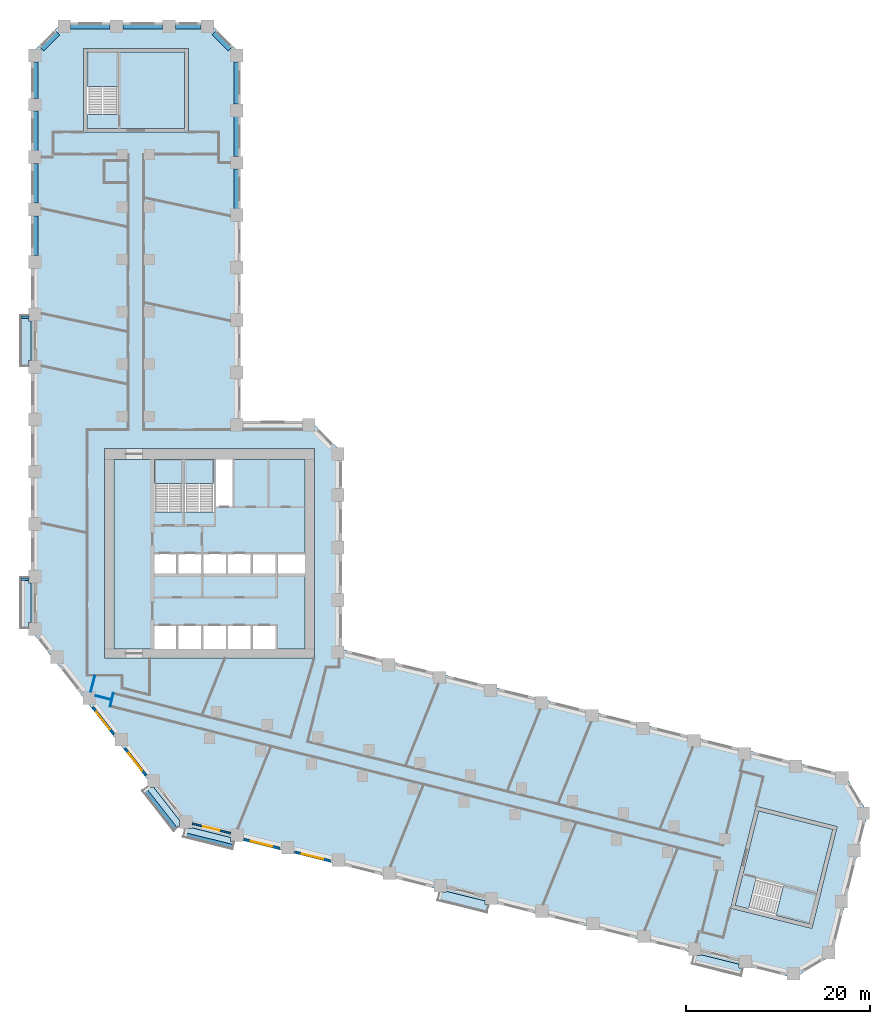
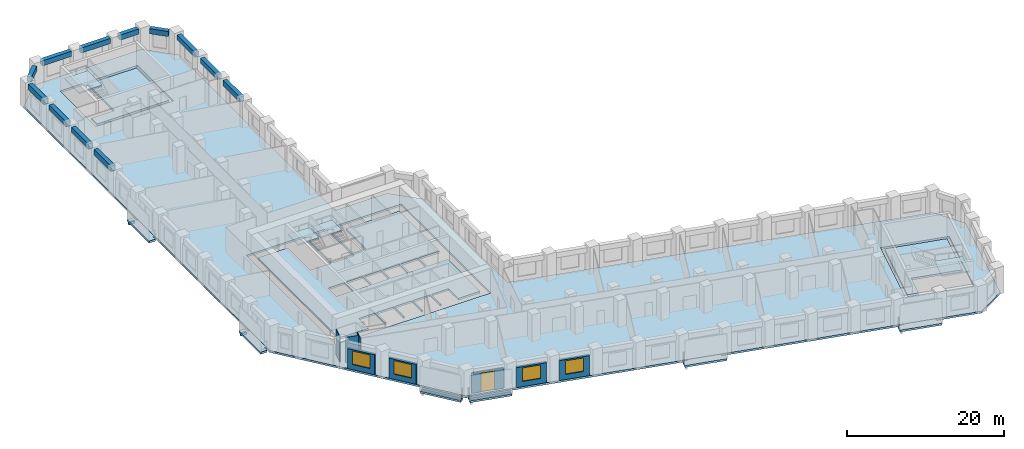
# One storey, part 2 of 11: 14 beams, 14 slabs, 10 walls, 4 windows, 1 door, 5 openings, 4 elements without a shape of their own.
"""IFC4 building model written with IfcOpenShell, lengths in metres."""

from ifc_helpers import new_model, si_unit, direction, frame, frame_2d, origin, origin_2d, place, context, subcontext, project, spatial, polyline, rectangle, outline, extrude, material, layer, layer_set, material_profile, profile_set, type_object, element, fill, aggregate, save


model = new_model("IFC4")

# Units and contexts
model_context = context("Model", 3, precision=1e-05, world=origin(), true_north=direction((0.0, 1.0)))
body_context = subcontext(model_context, "Body", "Model", "MODEL_VIEW")
ifc_project = project(units=[si_unit("LENGTHUNIT", "METRE"), si_unit("AREAUNIT", "SQUARE_METRE"), si_unit("VOLUMEUNIT", "CUBIC_METRE"), si_unit("PLANEANGLEUNIT", "RADIAN"), si_unit("MASSUNIT", "GRAM", prefix="KILO")], contexts=[model_context])

# Site, building, storey
site_placement = place(None, origin())
site = spatial("IfcSite", under=ifc_project, at=site_placement, CompositionType="ELEMENT")
building_placement = place(site_placement, origin())
building = spatial("IfcBuilding", under=site, at=building_placement, Name="Meshkara Civic Tower", CompositionType="ELEMENT")
storey_placement = place(building_placement, frame((0.0, 0.0, 41.39990234375)))
storey = spatial("IfcBuildingStorey", under=building, at=storey_placement, Name="L08", CompositionType="ELEMENT", Elevation=41.39990234375)

# Beams
ifc_material_1 = material(Name="Concrete C50", Category="concrete")
ifc_material_profile_1 = material_profile(ifc_material_1, rectangle(XDim=0.25, YDim=0.39990234375, at=origin_2d()))
ifc_profile_set_1 = profile_set([ifc_material_profile_1], Name="Concrete C50")
beam_type_1 = type_object("IfcBeamType", Name="Balcony bracket beam RC 250x400 C50", PredefinedType="BEAM", material=ifc_profile_set_1)
for number, where, z_axis, x_axis, name in (
    (1, (-0.2451171875, 51.155029296875, -0.5), (-1.0, 0.0, 0.0), (0.0, -1.0, 0.0), "Balcony bracket beam"),
    (2, (-0.2451171875, 22.655029296875, -0.5), (-1.0, 0.0, 0.0), (0.0, -1.0, 0.0), "Balcony bracket beam"),
):
    element("IfcBeam", number, at=place(storey_placement, frame(where, z_axis=z_axis, x_axis=x_axis)), inside=storey, type_object=beam_type_1, Name=name, PredefinedType="BEAM", context=body_context, shape_type="SweptSolid", body=[
        extrude(rectangle(XDim=0.25, YDim=0.39990234375, at=origin_2d()), origin(), (0.0, 0.0, 1.0), 0.85498046875),
    ])
ifc_material_2 = material(Name="Concrete C70", Category="concrete")
ifc_material_profile_2 = material_profile(ifc_material_2, rectangle(XDim=0.60009765625, YDim=0.800048828125, at=origin_2d()))
ifc_profile_set_2 = profile_set([ifc_material_profile_2], Name="Concrete C70")
beam_type_2 = type_object("IfcBeamType", Name="Spandrel beam RC 600x800 C70", PredefinedType="BEAM", material=ifc_profile_set_2)
beam_1_placement = place(storey_placement, frame((22.35009765625, 62.945068359375, 3.5), z_axis=(0.0, 1.0, 0.0), x_axis=(-1.0, 0.0, 0.0)))
element("IfcBeam", 3, at=beam_1_placement, inside=storey, type_object=beam_type_2, Name="Spandrel beam AE04-AE05", PredefinedType="BEAM", context=body_context, shape_type="SweptSolid", body=[
    extrude(rectangle(XDim=0.60009765625, YDim=0.800048828125, at=origin_2d()), origin(), (0.0, 0.0, 1.0), 4.309814453125),
])
beam_2_placement = place(storey_placement, frame((22.35009765625, 68.64501953125, 3.5), z_axis=(0.0, 1.0, 0.0), x_axis=(-1.0, 0.0, 0.0)))
element("IfcBeam", 4, at=beam_2_placement, inside=storey, type_object=beam_type_2, Name="Spandrel beam AE05-AE06", PredefinedType="BEAM", context=body_context, shape_type="SweptSolid", body=[
    extrude(rectangle(XDim=0.60009765625, YDim=0.800048828125, at=origin_2d()), origin(), (0.0, 0.0, 1.0), 4.31005859375),
])
beam_3_placement = place(storey_placement, frame((22.35009765625, 74.344970703125, 3.5), z_axis=(0.0, 1.0, 0.0), x_axis=(-1.0, 0.0, 0.0)))
element("IfcBeam", 5, at=beam_3_placement, inside=storey, type_object=beam_type_2, Name="Spandrel beam AE06-AEE", PredefinedType="BEAM", context=body_context, shape_type="SweptSolid", body=[
    extrude(rectangle(XDim=0.60009765625, YDim=0.800048828125, at=origin_2d()), origin(), (0.0, 0.0, 1.0), 4.573974609375),
])
beam_4_placement = place(storey_placement, frame((21.653564453125, 80.310546875, 3.5), z_axis=(-0.707155737934, 0.70705782105, 0.0), x_axis=(-0.70705782105, -0.707155737934, 0.0)))
element("IfcBeam", 6, at=beam_4_placement, inside=storey, type_object=beam_type_2, Name="Spandrel beam AEE-ATiE", PredefinedType="BEAM", context=body_context, shape_type="SweptSolid", body=[
    extrude(rectangle(XDim=0.60009765625, YDim=0.800048828125, at=origin_2d()), origin(), (0.0, 0.0, 1.0), 2.493408203125),
])
beam_5_placement = place(storey_placement, frame((18.4990234375, 82.77001953125, 3.5), z_axis=(-1.0, 0.0, 0.0), x_axis=(0.0, -1.0, 0.0)))
element("IfcBeam", 7, at=beam_5_placement, inside=storey, type_object=beam_type_2, Name="Spandrel beam AT02-ATiE", PredefinedType="BEAM", context=body_context, shape_type="SweptSolid", body=[
    extrude(rectangle(XDim=0.60009765625, YDim=0.800048828125, at=origin_2d()), origin(), (0.0, 0.0, 1.0), 2.798095703125),
])
for number, where, z_axis, x_axis, name in (
    (8, (14.31103515625, 82.77001953125, 3.5), (-1.0, 0.0, 0.0), (0.0, -1.0, 0.0), "Spandrel beam AT01-AT02"),
    (9, (8.611083984375, 82.77001953125, 3.5), (-1.0, 0.0, 0.0), (0.0, -1.0, 0.0), "Spandrel beam AT00-AT01"),
):
    element("IfcBeam", number, at=place(storey_placement, frame(where, z_axis=z_axis, x_axis=x_axis)), inside=storey, type_object=beam_type_2, Name=name, PredefinedType="BEAM", context=body_context, shape_type="SweptSolid", body=[
        extrude(rectangle(XDim=0.60009765625, YDim=0.800048828125, at=origin_2d()), origin(), (0.0, 0.0, 1.0), 4.31005859375),
    ])
beam_6_placement = place(storey_placement, frame((2.909423828125, 82.073486328125, 3.5), z_axis=(-0.707106781187, -0.707106781187, 0.0), x_axis=(0.707106781187, -0.707106781187, 0.0)))
element("IfcBeam", 10, at=beam_6_placement, inside=storey, type_object=beam_type_2, Name="Spandrel beam AT00-ATo00", PredefinedType="BEAM", context=body_context, shape_type="SweptSolid", body=[
    extrude(rectangle(XDim=0.60009765625, YDim=0.800048828125, at=origin_2d()), origin(), (0.0, 0.0, 1.0), 2.4931640625),
])
beam_7_placement = place(storey_placement, frame((0.449951171875, 78.9189453125, 3.5), z_axis=(0.0, -1.0, 0.0), x_axis=(1.0, 0.0, 0.0)))
element("IfcBeam", 11, at=beam_7_placement, inside=storey, type_object=beam_type_2, Name="Spandrel beam ATo00-AW10", PredefinedType="BEAM", context=body_context, shape_type="SweptSolid", body=[
    extrude(rectangle(XDim=0.60009765625, YDim=0.800048828125, at=origin_2d()), origin(), (0.0, 0.0, 1.0), 3.968994140625),
])
for number, where, z_axis, x_axis, name in (
    (12, (0.449951171875, 73.56005859375, 3.5), (0.0, -1.0, 0.0), (1.0, 0.0, 0.0), "Spandrel beam AW09-AW10"),
    (13, (0.449951171875, 67.860107421875, 3.5), (0.0, -1.0, 0.0), (1.0, 0.0, 0.0), "Spandrel beam AW08-AW09"),
):
    element("IfcBeam", number, at=place(storey_placement, frame(where, z_axis=z_axis, x_axis=x_axis)), inside=storey, type_object=beam_type_2, Name=name, PredefinedType="BEAM", context=body_context, shape_type="SweptSolid", body=[
        extrude(rectangle(XDim=0.60009765625, YDim=0.800048828125, at=origin_2d()), origin(), (0.0, 0.0, 1.0), 4.31005859375),
    ])
beam_8_placement = place(storey_placement, frame((0.449951171875, 62.159912109375, 3.5), z_axis=(0.0, -1.0, 0.0), x_axis=(1.0, 0.0, 0.0)))
element("IfcBeam", 14, at=beam_8_placement, inside=storey, type_object=beam_type_2, Name="Spandrel beam AW07-AW08", PredefinedType="BEAM", context=body_context, shape_type="SweptSolid", body=[
    extrude(rectangle(XDim=0.60009765625, YDim=0.800048828125, at=origin_2d()), origin(), (0.0, 0.0, 1.0), 4.309814453125),
])

# Slabs
ifc_material_3 = material(Name="Concrete C40", Category="concrete")
ifc_layer_1 = layer(ifc_material_3, 0.300048828125)
ifc_layer_set_1 = layer_set([ifc_layer_1], Name="BALCONY SLAB")
slab_type_1 = type_object("IfcSlabType", Name="BALCONY SLAB", PredefinedType="FLOOR", material=ifc_layer_set_1)
slab_1_placement = place(storey_placement, frame((0.0, 0.0, -0.2998046875)))
element("IfcSlab", 15, at=slab_1_placement, inside=storey, type_object=slab_type_1, Name="Balcony slab", PredefinedType="FLOOR", context=body_context, shape_type="SweptSolid", body=[
    extrude(outline(polyline([(-1.199951171875, 45.81494140625), (-1.199951171875, 51.39501953125), (-0.25, 51.39501953125), (-0.25, 50.7548828125), (0.0, 50.7548828125), (0.0, 46.455078125), (-0.25, 46.455078125), (-0.25, 45.81494140625), (-1.199951171875, 45.81494140625)])), origin(), (0.0, 0.0, 1.0), 0.2998046875),
])
slab_2_placement = place(storey_placement, frame((0.0, 0.0, -0.2998046875)))
element("IfcSlab", 16, at=slab_2_placement, inside=storey, type_object=slab_type_1, Name="Balcony slab", PredefinedType="FLOOR", context=body_context, shape_type="SweptSolid", body=[
    extrude(outline(polyline([(-1.199951171875, 17.31494140625), (-1.199951171875, 22.89501953125), (-0.25, 22.89501953125), (-0.25, 22.2548828125), (0.0, 22.2548828125), (0.0, 17.955078125), (-0.25, 17.955078125), (-0.25, 17.31494140625), (-1.199951171875, 17.31494140625)])), origin(), (0.0, 0.0, 1.0), 0.2998046875),
])
slab_3_placement = place(storey_placement, frame((0.0, 0.0, -0.2998046875)))
element("IfcSlab", 17, at=slab_3_placement, inside=storey, type_object=slab_type_1, Name="Balcony slab", PredefinedType="FLOOR", context=body_context, shape_type="SweptSolid", body=[
    extrude(outline(polyline([(15.513916015625, -4.7060546875), (12.0791015625, -0.30908203125), (12.64208984375, 0.131103515625), (12.64208984375, 0.053955078125), (13.318115234375, 0.053955078125), (16.15087890625, -3.572998046875), (16.15087890625, -4.208984375), (15.513916015625, -4.7060546875)])), origin(), (0.0, 0.0, 1.0), 0.2998046875),
])
slab_4_placement = place(storey_placement, frame((0.0, 0.0, -0.2998046875)))
element("IfcSlab", 18, at=slab_4_placement, inside=storey, type_object=slab_type_1, Name="Balcony slab", PredefinedType="FLOOR", context=body_context, shape_type="SweptSolid", body=[
    extrude(outline(polyline([(21.925048828125, -6.702880859375), (16.510009765625, -5.35302734375), (16.738037109375, -4.43798828125), (17.551025390625, -4.43798828125), (17.551025390625, -4.3759765625), (21.681884765625, -5.406005859375), (21.681884765625, -5.81689453125), (22.14599609375, -5.81689453125), (21.925048828125, -6.702880859375)])), origin(), (0.0, 0.0, 1.0), 0.2998046875),
])
slab_5_placement = place(storey_placement, frame((0.0, 0.0, -0.2998046875)))
element("IfcSlab", 19, at=slab_5_placement, inside=storey, type_object=slab_type_1, Name="Balcony slab", PredefinedType="FLOOR", context=body_context, shape_type="SweptSolid", body=[
    extrude(outline(polyline([(49.577880859375, -13.597900390625), (44.1640625, -12.248046875), (44.39208984375, -11.33203125), (45.205078125, -11.33203125), (45.205078125, -11.27099609375), (49.3349609375, -12.301025390625), (49.3349609375, -12.7109375), (49.799072265625, -12.7109375), (49.577880859375, -13.597900390625)])), origin(), (0.0, 0.0, 1.0), 0.2998046875),
])
slab_6_placement = place(storey_placement, frame((0.0, 0.0, -0.2998046875)))
element("IfcSlab", 20, at=slab_6_placement, inside=storey, type_object=slab_type_1, Name="Balcony slab", PredefinedType="FLOOR", context=body_context, shape_type="SweptSolid", body=[
    extrude(outline(polyline([(77.23193359375, -20.492919921875), (71.81689453125, -19.14306640625), (72.044921875, -18.22705078125), (72.85791015625, -18.22705078125), (72.85791015625, -18.1650390625), (76.989013671875, -19.195068359375), (76.989013671875, -19.60595703125), (77.452880859375, -19.60595703125), (77.23193359375, -20.492919921875)])), origin(), (0.0, 0.0, 1.0), 0.2998046875),
])
ifc_material_4 = material(Name="Concrete C40/50", Category="concrete")
ifc_layer_2 = layer(ifc_material_4, 0.300048828125)
ifc_layer_set_2 = layer_set([ifc_layer_2], Name="Core floor slab 300 C40/50")
slab_type_2 = type_object("IfcSlabType", Name="Core floor slab 300 C40/50", PredefinedType="FLOOR", material=ifc_layer_set_2)
slab_7_placement = place(storey_placement, frame((0.0, 0.0, -0.2998046875)))
element("IfcSlab", 21, at=slab_7_placement, inside=storey, type_object=slab_type_2, Name="Core floor K", PredefinedType="FLOOR", context=body_context, shape_type="SweptSolid", body=[
    extrude(outline(polyline([(9.0, 35.699951171875), (13.39990234375, 35.699951171875), (13.39990234375, 30.00146484375), (16.5, 30.00146484375), (16.5, 35.699951171875), (16.699951171875, 35.699951171875), (16.699951171875, 30.00146484375), (19.89990234375, 30.00146484375), (19.89990234375, 35.699951171875), (20.10009765625, 35.699951171875), (20.10009765625, 30.574951171875), (21.925048828125, 30.574951171875), (21.925048828125, 35.699951171875), (29.800048828125, 35.699951171875), (29.800048828125, 25.39990234375), (26.800048828125, 25.39990234375), (26.800048828125, 23.300048828125), (29.800048828125, 23.300048828125), (29.800048828125, 15.10009765625), (26.60009765625, 15.10009765625), (26.60009765625, 17.60009765625), (24.10009765625, 17.60009765625), (24.10009765625, 15.10009765625), (23.89990234375, 15.10009765625), (23.89990234375, 17.60009765625), (21.39990234375, 17.60009765625), (21.39990234375, 15.10009765625), (21.199951171875, 15.10009765625), (21.199951171875, 17.60009765625), (18.699951171875, 17.60009765625), (18.699951171875, 15.10009765625), (18.5, 15.10009765625), (18.5, 17.60009765625), (16.0, 17.60009765625), (16.0, 15.10009765625), (15.800048828125, 15.10009765625), (15.800048828125, 17.60009765625), (13.39990234375, 17.60009765625), (13.39990234375, 15.10009765625), (9.0, 15.10009765625), (9.0, 35.699951171875)]), holes=[polyline([(13.39990234375, 25.39990234375), (13.39990234375, 23.300048828125), (15.800048828125, 23.300048828125), (15.800048828125, 25.39990234375), (13.39990234375, 25.39990234375)]), polyline([(18.5, 23.300048828125), (18.5, 25.39990234375), (16.0, 25.39990234375), (16.0, 23.300048828125), (18.5, 23.300048828125)]), polyline([(18.699951171875, 25.39990234375), (18.699951171875, 23.300048828125), (21.199951171875, 23.300048828125), (21.199951171875, 25.39990234375), (18.699951171875, 25.39990234375)]), polyline([(23.89990234375, 23.300048828125), (23.89990234375, 25.39990234375), (21.39990234375, 25.39990234375), (21.39990234375, 23.300048828125), (23.89990234375, 23.300048828125)]), polyline([(26.60009765625, 23.300048828125), (26.60009765625, 25.39990234375), (24.10009765625, 25.39990234375), (24.10009765625, 23.300048828125), (26.60009765625, 23.300048828125)])]), origin(), (0.0, 0.0, 1.0), 0.2998046875),
])
slab_8_placement = place(storey_placement, frame((0.0, 0.0, -0.2998046875)))
element("IfcSlab", 22, at=slab_8_placement, inside=storey, type_object=slab_type_2, Name="Core floor EA", PredefinedType="FLOOR", context=body_context, shape_type="SweptSolid", body=[
    extrude(outline(polyline([(16.699951171875, 71.669921875), (16.699951171875, 79.969970703125), (9.5, 79.969970703125), (9.5, 73.17138671875), (6.10009765625, 73.17138671875), (6.10009765625, 71.669921875), (16.699951171875, 71.669921875)])), origin(), (0.0, 0.0, 1.0), 0.2998046875),
])
slab_9_placement = place(storey_placement, frame((0.0, 0.0, -0.2998046875)))
element("IfcSlab", 23, at=slab_9_placement, inside=storey, type_object=slab_type_2, Name="Core floor EB", PredefinedType="FLOOR", context=body_context, shape_type="SweptSolid", body=[
    extrude(outline(polyline([(79.11181640625, -2.513671875), (87.165283203125, -4.521484375), (85.423583984375, -11.507568359375), (78.826904296875, -9.863037109375), (78.00439453125, -13.161865234375), (76.547607421875, -12.798583984375), (79.11181640625, -2.513671875)])), origin(), (0.0, 0.0, 1.0), 0.2998046875),
])

# Stair, slab
ifc_material_5 = material(Name="Precast concrete C40/50", Category="concrete")
stair_type_1 = type_object("IfcStairType", Name="Exit stair half-turn 24 risers precast", PredefinedType="HALF_TURN_STAIR", material=ifc_material_5)
stair_1_placement = place(storey_placement, origin())
stair_1 = element("IfcStair", 24, at=stair_1_placement, inside=storey, type_object=stair_type_1, Name="L08 exit stair 1", PredefinedType="HALF_TURN_STAIR")
ifc_material_6 = material(Name="Precast concrete C40/50", Category="concrete")
ifc_layer_3 = layer(ifc_material_6, 0.199951171875)
ifc_layer_set_3 = layer_set([ifc_layer_3], Name="Exit stair landing 200")
slab_type_3 = type_object("IfcSlabType", Name="Exit stair landing 200", PredefinedType="LANDING", material=ifc_layer_set_3)
slab_10_placement = place(storey_placement, frame((0.0, 0.0, 1.900146484375)))
slab_10 = element("IfcSlab", 25, at=slab_10_placement, type_object=slab_type_3, Name="ST1 landing 1", PredefinedType="LANDING", context=body_context, shape_type="SweptSolid", body=[
    extrude(outline(polyline([(16.5, 33.07861328125), (16.5, 35.699951171875), (13.39990234375, 35.699951171875), (13.39990234375, 33.07861328125), (16.5, 33.07861328125)])), origin(), (0.0, 0.0, 1.0), 0.199951171875),
])
aggregate(stair_1, [slab_10])

stair_2_placement = place(storey_placement, origin())
stair_2 = element("IfcStair", 26, at=stair_2_placement, inside=storey, type_object=stair_type_1, Name="L08 exit stair 2", PredefinedType="HALF_TURN_STAIR")
slab_11_placement = place(storey_placement, frame((0.0, 0.0, 1.900146484375)))
slab_11 = element("IfcSlab", 27, at=slab_11_placement, type_object=slab_type_3, Name="ST2 landing 1", PredefinedType="LANDING", context=body_context, shape_type="SweptSolid", body=[
    extrude(outline(polyline([(19.89990234375, 33.07861328125), (19.89990234375, 35.699951171875), (16.699951171875, 35.699951171875), (16.699951171875, 33.07861328125), (19.89990234375, 33.07861328125)])), origin(), (0.0, 0.0, 1.0), 0.199951171875),
])
aggregate(stair_2, [slab_11])

ifc_material_7 = material(Name="Precast concrete C40/50", Category="concrete")
stair_type_2 = type_object("IfcStairType", Name="Exit stair half-turn 24 risers 1500 precast", PredefinedType="HALF_TURN_STAIR", material=ifc_material_7)
stair_3_placement = place(storey_placement, origin())
stair_3 = element("IfcStair", 28, at=stair_3_placement, inside=storey, type_object=stair_type_2, Name="L08 exit stair A from B2", PredefinedType="HALF_TURN_STAIR")
slab_12_placement = place(storey_placement, frame((0.0, 0.0, 1.900146484375)))
slab_12 = element("IfcSlab", 29, at=slab_12_placement, type_object=slab_type_3, Name="ESA1 landing 1", PredefinedType="LANDING", context=body_context, shape_type="SweptSolid", body=[
    extrude(outline(polyline([(9.5, 76.24853515625), (9.5, 79.969970703125), (6.10009765625, 79.969970703125), (6.10009765625, 76.24853515625), (9.5, 76.24853515625)])), origin(), (0.0, 0.0, 1.0), 0.199951171875),
])
aggregate(stair_3, [slab_12])

stair_4_placement = place(storey_placement, origin())
stair_4 = element("IfcStair", 30, at=stair_4_placement, inside=storey, type_object=stair_type_2, Name="L08 exit stair B from B2", PredefinedType="HALF_TURN_STAIR")
slab_13_placement = place(storey_placement, frame((0.0, 0.0, 1.900146484375)))
slab_13 = element("IfcSlab", 31, at=slab_13_placement, type_object=slab_type_3, Name="ESB1 landing 1", PredefinedType="LANDING", context=body_context, shape_type="SweptSolid", body=[
    extrude(outline(polyline([(80.98974609375, -13.9072265625), (84.600830078125, -14.80810546875), (85.424072265625, -11.50830078125), (81.81298828125, -10.607421875), (80.98974609375, -13.9072265625)])), origin(), (0.0, 0.0, 1.0), 0.199951171875),
])
aggregate(stair_4, [slab_13])

# Slab
ifc_material_8 = material(Name="Concrete C50", Category="concrete")
ifc_layer_4 = layer(ifc_material_8, 0.300048828125)
ifc_layer_set_4 = layer_set([ifc_layer_4], Name="Post-tensioned flat slab 300 C50")
slab_type_4 = type_object("IfcSlabType", Name="Post-tensioned flat slab 300 C50", PredefinedType="FLOOR", material=ifc_layer_set_4)
slab_14_placement = place(storey_placement, frame((0.0, 0.0, -0.2998046875)))
element("IfcSlab", 32, at=slab_14_placement, inside=storey, type_object=slab_type_4, Name="Post-tensioned flat slab L08", PredefinedType="FLOOR", context=body_context, shape_type="SweptSolid", body=[
    extrude(outline(polyline([(87.10595703125, -18.193115234375), (82.9599609375, -20.68408203125), (16.592041015625, -4.136962890625), (0.0, 17.10009765625), (0.0, 79.800048828125), (3.419921875, 83.219970703125), (19.3798828125, 83.219970703125), (22.800048828125, 79.800048828125), (22.800048828125, 39.89990234375), (30.3798828125, 39.89990234375), (33.800048828125, 36.47998046875), (33.800048828125, 15.071044921875), (88.47607421875, 1.43798828125), (90.967041015625, -2.70703125), (87.10595703125, -18.193115234375)]), holes=[polyline([(84.89208984375, -15.2919921875), (87.64990234375, -4.22998046875), (78.821044921875, -2.029052734375), (76.06298828125, -13.090087890625), (84.89208984375, -15.2919921875)]), polyline([(8.0, 14.10009765625), (30.800048828125, 14.10009765625), (30.800048828125, 36.89990234375), (8.0, 36.89990234375), (8.0, 14.10009765625)]), polyline([(5.699951171875, 80.3701171875), (5.699951171875, 71.27001953125), (17.10009765625, 71.27001953125), (17.10009765625, 80.3701171875), (5.699951171875, 80.3701171875)])]), origin(), (0.0, 0.0, 1.0), 0.2998046875),
])

# Wall
ifc_material_9 = material(Name="Corridor wall 100")
ifc_layer_5 = layer(ifc_material_9, 0.10009765625)
ifc_layer_set_5 = layer_set([ifc_layer_5], Name="Corridor wall 100")
wall_type_1 = type_object("IfcWallType", Name="Corridor wall 100", PredefinedType="PARTITIONING", material=ifc_layer_set_5)
wall_1_placement = place(storey_placement, frame((8.944091796875, 10.263916015625, 0.0), z_axis=(0.0, 0.0, 1.0), x_axis=(-0.242297077633, -0.970202105837, 0.0)))
element("IfcWall", 33, at=wall_1_placement, inside=storey, type_object=wall_type_1, Name="L08-W008", PredefinedType="PARTITIONING", context=body_context, shape_type="SweptSolid", body=[
    extrude(rectangle(XDim=1.44482421875, YDim=0.10009765625, at=frame_2d((0.722412109375, 0.0))), origin(), (0.0, 0.0, 1.0), 3.900146484375),
])

# Wall, opening, window
ifc_material_10 = material(Name="Insulated infill panel with bronze anodised aluminium cladding", Category="aluminium")
ifc_layer_6 = layer(ifc_material_10, 0.300048828125)
ifc_layer_set_6 = layer_set([ifc_layer_6], Name="EXTERNAL INFILL WALL 300")
wall_type_2 = type_object("IfcWallType", Name="EXTERNAL INFILL WALL 300", PredefinedType="SOLIDWALL", material=ifc_layer_set_6)
wall_2_placement = place(storey_placement, frame((6.69189453125, 8.778076171875, 0.0), z_axis=(0.0, 0.0, 1.0), x_axis=(0.615767067156, -0.787928244833, 0.0)))
wall_2 = element("IfcWall", 34, at=wall_2_placement, inside=storey, type_object=wall_type_2, Name="External wall", PredefinedType="SOLIDWALL", context=body_context, shape_type="SweptSolid", body=[
    extrude(rectangle(XDim=3.7353515625, YDim=0.300048828125, at=frame_2d((1.86767578125, 0.0))), origin(), (0.0, 0.0, 1.0), 3.10009765625),
])
opening_1_placement = place(wall_2_placement, frame((0.66796875, 0.0, 0.800048828125)))
opening_1 = element("IfcOpeningElement", 35, at=opening_1_placement, cuts=wall_2, Name="Opening W7", PredefinedType="OPENING", context=body_context, shape_type="SweptSolid", body=[
    extrude(rectangle(XDim=2.39990234375, YDim=2.10009765625, at=frame_2d((1.199951171875, 1.050048828125))), frame((0.0, 0.159912109375, 0.0), z_axis=(0.0, -1.0, 0.0), x_axis=(1.0, 0.0, 0.0)), (0.0, 0.0, 1.0), 0.320068359375),
])
ifc_material_11 = material(Name="Tinted double glazing", Category="glass")
window_type = type_object("IfcWindowType", Name="WINDOW 2400x2100", PartitioningType="DOUBLE_PANEL_VERTICAL", PredefinedType="WINDOW", material=ifc_material_11)
window_1_placement = place(opening_1_placement, origin())
window_1 = element("IfcWindow", 36, at=window_1_placement, inside=storey, type_object=window_type, Name="Window", OverallHeight=2.10009765625, OverallWidth=2.39990234375, PartitioningType="DOUBLE_PANEL_VERTICAL", PredefinedType="WINDOW", context=body_context, shape_type="SweptSolid", body=[
    extrude(rectangle(XDim=2.39990234375, YDim=2.10009765625, at=frame_2d((1.199951171875, 1.050048828125))), frame((0.0, 0.030029296875, 0.0), z_axis=(0.0, -1.0, 0.0), x_axis=(1.0, 0.0, 0.0)), (0.0, 0.0, 1.0), 0.06005859375),
])
fill(opening_1, window_1)

wall_3_placement = place(storey_placement, frame((10.201904296875, 4.285888671875, 0.0), z_axis=(0.0, 0.0, 1.0), x_axis=(0.615636430057, -0.788030320474, 0.0)))
wall_3 = element("IfcWall", 37, at=wall_3_placement, inside=storey, type_object=wall_type_2, Name="External wall", PredefinedType="SOLIDWALL", context=body_context, shape_type="SweptSolid", body=[
    extrude(rectangle(XDim=3.734375, YDim=0.300048828125, at=frame_2d((1.8671875, 0.0))), origin(), (0.0, 0.0, 1.0), 3.10009765625),
])
opening_2_placement = place(wall_3_placement, frame((0.6669921875, 0.0, 0.800048828125)))
opening_2 = element("IfcOpeningElement", 38, at=opening_2_placement, cuts=wall_3, Name="Opening W7", PredefinedType="OPENING", context=body_context, shape_type="SweptSolid", body=[
    extrude(rectangle(XDim=2.39990234375, YDim=2.10009765625, at=frame_2d((1.199951171875, 1.050048828125))), frame((0.0, 0.159912109375, 0.0), z_axis=(0.0, -1.0, 0.0), x_axis=(1.0, 0.0, 0.0)), (0.0, 0.0, 1.0), 0.320068359375),
])
window_2_placement = place(opening_2_placement, origin())
window_2 = element("IfcWindow", 39, at=window_2_placement, inside=storey, type_object=window_type, Name="Window", OverallHeight=2.10009765625, OverallWidth=2.39990234375, PartitioningType="DOUBLE_PANEL_VERTICAL", PredefinedType="WINDOW", context=body_context, shape_type="SweptSolid", body=[
    extrude(rectangle(XDim=2.39990234375, YDim=2.10009765625, at=frame_2d((1.199951171875, 1.050048828125))), frame((0.0, 0.030029296875, 0.0), z_axis=(0.0, -1.0, 0.0), x_axis=(1.0, 0.0, 0.0)), (0.0, 0.0, 1.0), 0.06005859375),
])
fill(opening_2, window_2)

wall_4_placement = place(storey_placement, frame((23.133056640625, -5.613037109375, 0.0), z_axis=(0.0, 0.0, 1.0), x_axis=(0.970303772127, -0.241889623168, 0.0)))
wall_4 = element("IfcWall", 40, at=wall_4_placement, inside=storey, type_object=wall_type_2, Name="External wall", PredefinedType="SOLIDWALL", context=body_context, shape_type="SweptSolid", body=[
    extrude(rectangle(XDim=4.001953125, YDim=0.300048828125, at=frame_2d((2.0009765625, 0.0))), origin(), (0.0, 0.0, 1.0), 3.10009765625),
])
opening_3_placement = place(wall_4_placement, frame((0.801025390625, 0.0, 0.800048828125)))
opening_3 = element("IfcOpeningElement", 41, at=opening_3_placement, cuts=wall_4, Name="Opening W7", PredefinedType="OPENING", context=body_context, shape_type="SweptSolid", body=[
    extrude(rectangle(XDim=2.39990234375, YDim=2.10009765625, at=frame_2d((1.199951171875, 1.050048828125))), frame((0.0, 0.159912109375, 0.0), z_axis=(0.0, -1.0, 0.0), x_axis=(1.0, 0.0, 0.0)), (0.0, 0.0, 1.0), 0.320068359375),
])
window_3_placement = place(opening_3_placement, origin())
window_3 = element("IfcWindow", 42, at=window_3_placement, inside=storey, type_object=window_type, Name="Window", OverallHeight=2.10009765625, OverallWidth=2.39990234375, PartitioningType="DOUBLE_PANEL_VERTICAL", PredefinedType="WINDOW", context=body_context, shape_type="SweptSolid", body=[
    extrude(rectangle(XDim=2.39990234375, YDim=2.10009765625, at=frame_2d((1.199951171875, 1.050048828125))), frame((0.0, 0.030029296875, 0.0), z_axis=(0.0, -1.0, 0.0), x_axis=(1.0, 0.0, 0.0)), (0.0, 0.0, 1.0), 0.06005859375),
])
fill(opening_3, window_3)

wall_5_placement = place(storey_placement, frame((28.6630859375, -6.991943359375, 0.0), z_axis=(0.0, 0.0, 1.0), x_axis=(0.970318045095, -0.24183236211, 0.0)))
wall_5 = element("IfcWall", 43, at=wall_5_placement, inside=storey, type_object=wall_type_2, Name="External wall", PredefinedType="SOLIDWALL", context=body_context, shape_type="SweptSolid", body=[
    extrude(rectangle(XDim=4.0029296875, YDim=0.300048828125, at=frame_2d((2.00146484375, 0.0))), origin(), (0.0, 0.0, 1.0), 3.10009765625),
])
opening_4_placement = place(wall_5_placement, frame((0.802001953125, 0.0, 0.800048828125)))
opening_4 = element("IfcOpeningElement", 44, at=opening_4_placement, cuts=wall_5, Name="Opening W7", PredefinedType="OPENING", context=body_context, shape_type="SweptSolid", body=[
    extrude(rectangle(XDim=2.39990234375, YDim=2.10009765625, at=frame_2d((1.199951171875, 1.050048828125))), frame((0.0, 0.159912109375, 0.0), z_axis=(0.0, -1.0, 0.0), x_axis=(1.0, 0.0, 0.0)), (0.0, 0.0, 1.0), 0.320068359375),
])
window_4_placement = place(opening_4_placement, origin())
window_4 = element("IfcWindow", 45, at=window_4_placement, inside=storey, type_object=window_type, Name="Window", OverallHeight=2.10009765625, OverallWidth=2.39990234375, PartitioningType="DOUBLE_PANEL_VERTICAL", PredefinedType="WINDOW", context=body_context, shape_type="SweptSolid", body=[
    extrude(rectangle(XDim=2.39990234375, YDim=2.10009765625, at=frame_2d((1.199951171875, 1.050048828125))), frame((0.0, 0.030029296875, 0.0), z_axis=(0.0, -1.0, 0.0), x_axis=(1.0, 0.0, 0.0)), (0.0, 0.0, 1.0), 0.06005859375),
])
fill(opening_4, window_4)

# Wall, opening, door
ifc_material_12 = material(Name="Insulated infill panel with bronze anodised aluminium cladding", Category="aluminium")
ifc_layer_7 = layer(ifc_material_12, 0.199951171875)
ifc_layer_set_7 = layer_set([ifc_layer_7], Name="LOGGIA BACK WALL 200")
wall_type_3 = type_object("IfcWallType", Name="LOGGIA BACK WALL 200", PredefinedType="SOLIDWALL", material=ifc_layer_set_7)
wall_6_placement = place(storey_placement, frame((17.551025390625, -3.912109375, 0.0), z_axis=(0.0, 0.0, 1.0), x_axis=(0.970304203713, -0.241887891919, 0.0)))
wall_6 = element("IfcWall", 46, at=wall_6_placement, inside=storey, type_object=wall_type_3, Name="Loggia wall", PredefinedType="SOLIDWALL", context=body_context, shape_type="SweptSolid", body=[
    extrude(rectangle(XDim=4.25732421875, YDim=0.199951171875, at=frame_2d((2.128662109375, 0.0))), origin(), (0.0, 0.0, 1.0), 3.10009765625),
])
opening_5_placement = place(wall_6_placement, frame((1.22802734375, 0.0, 0.0)))
opening_5 = element("IfcOpeningElement", 47, at=opening_5_placement, cuts=wall_6, Name="Opening L08-L004", PredefinedType="OPENING", context=body_context, shape_type="SweptSolid", body=[
    extrude(rectangle(XDim=1.800048828125, YDim=2.89990234375, at=frame_2d((0.89990234375, 1.449951171875))), frame((0.0, 0.10986328125, 0.0), z_axis=(0.0, -1.0, 0.0), x_axis=(1.0, 0.0, 0.0)), (0.0, 0.0, 1.0), 0.219970703125),
])
ifc_material_13 = material(Name="Tinted double glazing", Category="glass")
door_type = type_object("IfcDoorType", Name="LOGGIA DOOR 1800x2900", OperationType="DOUBLE_DOOR_SINGLE_SWING", PredefinedType="DOOR", material=ifc_material_13)
door_placement = place(opening_5_placement, origin())
door = element("IfcDoor", 48, at=door_placement, inside=storey, type_object=door_type, Name="L08-L004", OperationType="DOUBLE_DOOR_SINGLE_SWING", OverallHeight=2.89990234375, OverallWidth=1.800048828125, PredefinedType="DOOR", context=body_context, shape_type="SweptSolid", body=[
    extrude(rectangle(XDim=1.800048828125, YDim=2.89990234375, at=frame_2d((0.89990234375, 1.449951171875))), frame((0.0, 0.02490234375, 0.0), z_axis=(0.0, -1.0, 0.0), x_axis=(1.0, 0.0, 0.0)), (0.0, 0.0, 1.0), 0.050048828125),
])
fill(opening_5, door)

# Walls
ifc_material_14 = material(Name="Concrete C40", Category="concrete")
ifc_layer_8 = layer(ifc_material_14, 0.39990234375)
ifc_layer_set_8 = layer_set([ifc_layer_8], Name="PLANTER TRAY")
wall_type_4 = type_object("IfcWallType", Name="PLANTER TRAY", PredefinedType="SOLIDWALL", material=ifc_layer_set_8)
wall_7_placement = place(storey_placement, frame((12.39794921875, -0.198974609375, 0.0), z_axis=(0.0, 0.0, 1.0), x_axis=(0.615638738903, -0.788028516719, 0.0)))
element("IfcWall", 49, at=wall_7_placement, inside=storey, type_object=wall_type_4, Name="Planter", PredefinedType="SOLIDWALL", context=body_context, shape_type="SweptSolid", body=[
    extrude(rectangle(XDim=5.3603515625, YDim=0.39990234375, at=frame_2d((2.68017578125, 0.0))), origin(), (0.0, 0.0, 1.0), 0.300048828125),
])
wall_8_placement = place(storey_placement, frame((16.694091796875, -5.069091796875, 0.0), z_axis=(0.0, 0.0, 1.0), x_axis=(0.970289679319, -0.241946147329, 0.0)))
element("IfcWall", 50, at=wall_8_placement, inside=storey, type_object=wall_type_4, Name="Planter", PredefinedType="SOLIDWALL", context=body_context, shape_type="SweptSolid", body=[
    extrude(rectangle(XDim=5.360107421875, YDim=0.39990234375, at=frame_2d((2.68017578125, 0.0))), origin(), (0.0, 0.0, 1.0), 0.300048828125),
])
ifc_material_15 = material(Name="Partition 100")
ifc_layer_9 = layer(ifc_material_15, 0.10009765625)
ifc_layer_set_9 = layer_set([ifc_layer_9], Name="Partition 100")
wall_type_5 = type_object("IfcWallType", Name="Partition 100", PredefinedType="PARTITIONING", material=ifc_layer_set_9)
wall_9_placement = place(storey_placement, frame((6.922119140625, 12.137939453125, 0.0), z_axis=(0.0, 0.0, 1.0), x_axis=(-0.242437328426, -0.970167069007, 0.0)))
element("IfcWall", 51, at=wall_9_placement, inside=storey, type_object=wall_type_5, Name="L08-W034", PredefinedType="PARTITIONING", context=body_context, shape_type="SweptSolid", body=[
    extrude(rectangle(XDim=1.753173828125, YDim=0.10009765625, at=frame_2d((0.87646484375, 0.0))), origin(), (0.0, 0.0, 1.0), 3.900146484375),
])
wall_10_placement = place(storey_placement, frame((8.719970703125, 9.573974609375, 0.0), z_axis=(0.0, 0.0, 1.0), x_axis=(-0.97016712555, 0.242437102155, 0.0)))
element("IfcWall", 52, at=wall_10_placement, inside=storey, type_object=wall_type_5, Name="L08-W037", PredefinedType="PARTITIONING", context=body_context, shape_type="SweptSolid", body=[
    extrude(rectangle(XDim=1.749267578125, YDim=0.10009765625, at=frame_2d((0.87451171875, 0.0))), origin(), (0.0, 0.0, 1.0), 3.900146484375),
])

save(model, "model.ifc")
